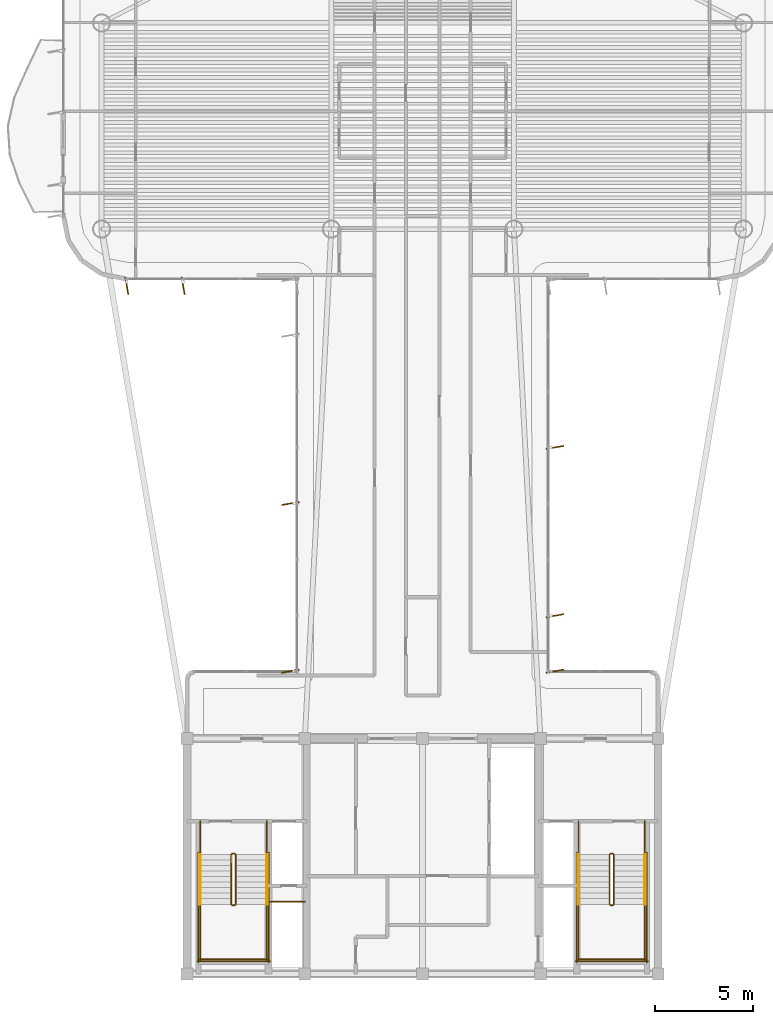
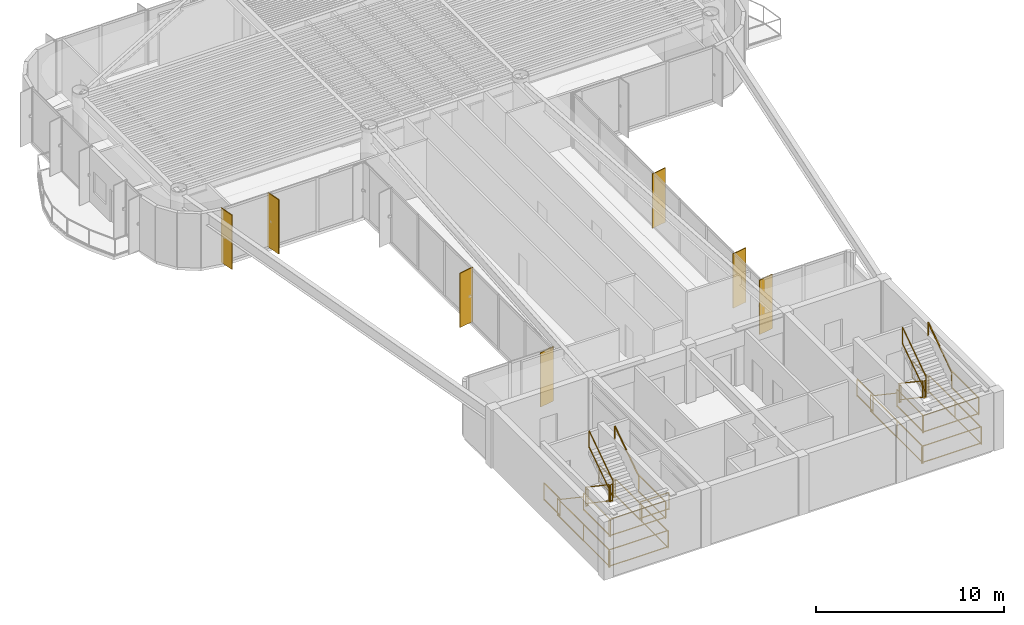
# One storey, part 15 of 16: 29 railings, 7 shading devices.
"""IFC4 building model written with IfcOpenShell, lengths in metres."""

from ifc_helpers import new_model, si_unit, direction, frame, origin, origin_2d, place, context, subcontext, project, spatial, rectangle, extrude, source, transform, mapped, material, layer, layer_set, material_profile, profile_set, type_object, element, save


model = new_model("IFC4")

# Units and contexts
model_context = context("Model", 3, precision=1e-05, world=origin(), true_north=direction((0.0, 1.0)))
body_context = subcontext(model_context, "Body", "Model", "MODEL_VIEW")
ifc_project = project(units=[si_unit("LENGTHUNIT", "METRE"), si_unit("AREAUNIT", "SQUARE_METRE"), si_unit("VOLUMEUNIT", "CUBIC_METRE"), si_unit("PLANEANGLEUNIT", "RADIAN"), si_unit("MASSUNIT", "GRAM", prefix="KILO")], contexts=[model_context])

# Site, building, storey
site_placement = place(None, origin())
site = spatial("IfcSite", under=ifc_project, at=site_placement, CompositionType="ELEMENT")
building_placement = place(site_placement, origin())
building = spatial("IfcBuilding", under=site, at=building_placement, Name="Brelvock Crest Care Tower", CompositionType="ELEMENT")
storey_placement = place(building_placement, frame((0.0, 0.0, 230.580078125)))
storey = spatial("IfcBuildingStorey", under=building, at=storey_placement, Name="L58", CompositionType="ELEMENT", Elevation=230.580078125)

# Railings
ifc_material_1 = material(Name="Steel Grade 350", Category="steel")
ifc_layer_1 = layer(ifc_material_1, 0.050048828125, Name="RL-STG1")
ifc_layer_set_1 = layer_set([ifc_layer_1], Name="Steel Grade 350")
railing_type_1 = type_object("IfcRailingType", Name="RL-STG1", PredefinedType="GUARDRAIL", material=ifc_layer_set_1)
railing_1_placement = place(storey_placement, frame((26.260009765625, 12.080078125, 0.18896484375)))
element("IfcRailing", 1, at=railing_1_placement, inside=storey, type_object=railing_type_1, Name="L58 ST-1 stair guard 1", PredefinedType="GUARDRAIL", context=body_context, shape_type="SweptSolid", body=[
    extrude(rectangle(XDim=0.048095703125, YDim=0.048095703125, at=origin_2d()), frame((0.0, -0.001708984375, 1.116943359375), z_axis=(0.0, -0.828861706735, 0.559453546873), x_axis=(1.0, 0.0, 0.0)), (0.0, 0.0, 1.0), 3.036376953125),
    extrude(rectangle(XDim=0.048095703125, YDim=0.048095703125, at=origin_2d()), frame((0.0, -0.001708984375, 0.05615234375), z_axis=(0.0, -0.828861706735, 0.559453546873), x_axis=(1.0, 0.0, 0.0)), (0.0, 0.0, 1.0), 3.036376953125),
    extrude(rectangle(XDim=0.0419921875, YDim=0.0419921875, at=origin_2d()), origin(), (0.0, 0.0, 1.0), 1.08984375),
    extrude(rectangle(XDim=0.0419921875, YDim=0.0419921875, at=origin_2d()), frame((0.0, -2.52001953125, 1.700927734375)), (0.0, 0.0, 1.0), 1.08984375),
])
railing_2_placement = place(storey_placement, frame((26.31005859375, 9.510009765625, 1.889892578125)))
element("IfcRailing", 2, at=railing_2_placement, inside=storey, type_object=railing_type_1, Name="L58 ST-1 stair guard 2", PredefinedType="GUARDRAIL", context=body_context, shape_type="SweptSolid", body=[
    extrude(rectangle(XDim=0.048095703125, YDim=0.048095703125, at=origin_2d()), frame((0.001953125, 0.0, 1.11572265625), z_axis=(1.0, 0.0, 0.0), x_axis=(0.0, 1.0, 0.0)), (0.0, 0.0, 1.0), 0.115966796875),
    extrude(rectangle(XDim=0.048095703125, YDim=0.048095703125, at=origin_2d()), frame((0.001953125, 0.0, 0.054931640625), z_axis=(1.0, 0.0, 0.0), x_axis=(0.0, 1.0, 0.0)), (0.0, 0.0, 1.0), 0.115966796875),
    extrude(rectangle(XDim=0.0419921875, YDim=0.0419921875, at=origin_2d()), origin(), (0.0, 0.0, 1.0), 1.08984375),
    extrude(rectangle(XDim=0.0419921875, YDim=0.0419921875, at=origin_2d()), frame((0.119873046875, 0.0, 0.0)), (0.0, 0.0, 1.0), 1.08984375),
])
for number, where, name in (
    (3, (24.679931640625, 9.56005859375, 1.889892578125), "L58 ST-1 stair guard 3"),
    (4, (28.06005859375, 9.56005859375, 1.889892578125), "L58 ST-1 stair guard 4"),
):
    element("IfcRailing", number, at=place(storey_placement, frame(where)), inside=storey, type_object=railing_type_1, Name=name, PredefinedType="GUARDRAIL", context=body_context, shape_type="SweptSolid", body=[
        extrude(rectangle(XDim=0.048095703125, YDim=0.048095703125, at=origin_2d()), frame((0.0, -0.001953125, 1.11572265625), z_axis=(0.0, -1.0, 0.0), x_axis=(1.0, 0.0, 0.0)), (0.0, 0.0, 1.0), 2.856201171875),
        extrude(rectangle(XDim=0.048095703125, YDim=0.048095703125, at=origin_2d()), frame((0.0, -0.001953125, 0.054931640625), z_axis=(0.0, -1.0, 0.0), x_axis=(1.0, 0.0, 0.0)), (0.0, 0.0, 1.0), 2.856201171875),
        extrude(rectangle(XDim=0.0419921875, YDim=0.0419921875, at=origin_2d()), origin(), (0.0, 0.0, 1.0), 1.08984375),
        extrude(rectangle(XDim=0.0419921875, YDim=0.0419921875, at=origin_2d()), frame((0.0, -2.860107421875, 0.0)), (0.0, 0.0, 1.0), 1.08984375),
    ])
railing_3_placement = place(storey_placement, frame((24.6298828125, 6.75, 1.889892578125)))
element("IfcRailing", 5, at=railing_3_placement, inside=storey, type_object=railing_type_1, Name="L58 ST-1 stair guard 5", PredefinedType="GUARDRAIL", context=body_context, shape_type="SweptSolid", body=[
    extrude(rectangle(XDim=0.048095703125, YDim=0.048095703125, at=origin_2d()), frame((0.001953125, 0.0, 1.11572265625), z_axis=(1.0, 0.0, 0.0), x_axis=(0.0, 1.0, 0.0)), (0.0, 0.0, 1.0), 3.476318359375),
    extrude(rectangle(XDim=0.048095703125, YDim=0.048095703125, at=origin_2d()), frame((0.001953125, 0.0, 0.054931640625), z_axis=(1.0, 0.0, 0.0), x_axis=(0.0, 1.0, 0.0)), (0.0, 0.0, 1.0), 3.476318359375),
    extrude(rectangle(XDim=0.0419921875, YDim=0.0419921875, at=origin_2d()), origin(), (0.0, 0.0, 1.0), 1.08984375),
    extrude(rectangle(XDim=0.0419921875, YDim=0.0419921875, at=origin_2d()), frame((3.480224609375, 0.0, 0.0)), (0.0, 0.0, 1.0), 1.08984375),
])
railing_4_placement = place(storey_placement, frame((26.47998046875, 9.56005859375, 2.078857421875)))
element("IfcRailing", 6, at=railing_4_placement, inside=storey, type_object=railing_type_1, Name="L58 ST-1 stair guard 6", PredefinedType="GUARDRAIL", context=body_context, shape_type="SweptSolid", body=[
    extrude(rectangle(XDim=0.048095703125, YDim=0.048095703125, at=origin_2d()), frame((0.0, 0.001708984375, 1.116943359375), z_axis=(0.0, 0.82882447046, 0.559508710537), x_axis=(-1.0, 0.0, 0.0)), (0.0, 0.0, 1.0), 3.036376953125),
    extrude(rectangle(XDim=0.048095703125, YDim=0.048095703125, at=origin_2d()), frame((0.0, 0.001708984375, 0.05615234375), z_axis=(0.0, 0.82882447046, 0.559508710537), x_axis=(-1.0, 0.0, 0.0)), (0.0, 0.0, 1.0), 3.036376953125),
    extrude(rectangle(XDim=0.0419921875, YDim=0.0419921875, at=origin_2d()), origin(), (0.0, 0.0, 1.0), 1.08984375),
    extrude(rectangle(XDim=0.0419921875, YDim=0.0419921875, at=origin_2d()), frame((0.0, 2.52001953125, 1.701171875)), (0.0, 0.0, 1.0), 1.08984375),
])
railing_5_placement = place(storey_placement, frame((26.31005859375, 12.1298828125, 0.0)))
element("IfcRailing", 7, at=railing_5_placement, inside=storey, type_object=railing_type_1, Name="L58 ST-1 stair guard 7", PredefinedType="GUARDRAIL", context=body_context, shape_type="SweptSolid", body=[
    extrude(rectangle(XDim=0.048095703125, YDim=0.048095703125, at=origin_2d()), frame((0.001953125, 0.0, 1.11572265625), z_axis=(1.0, 0.0, 0.0), x_axis=(0.0, 1.0, 0.0)), (0.0, 0.0, 1.0), 0.115966796875),
    extrude(rectangle(XDim=0.048095703125, YDim=0.048095703125, at=origin_2d()), frame((0.001953125, 0.0, 0.054931640625), z_axis=(1.0, 0.0, 0.0), x_axis=(0.0, 1.0, 0.0)), (0.0, 0.0, 1.0), 0.115966796875),
    extrude(rectangle(XDim=0.0419921875, YDim=0.0419921875, at=origin_2d()), origin(), (0.0, 0.0, 1.0), 1.08984375),
    extrude(rectangle(XDim=0.0419921875, YDim=0.0419921875, at=origin_2d()), frame((0.119873046875, 0.0, 0.0)), (0.0, 0.0, 1.0), 1.08984375),
])
for number, where, name in (
    (8, (24.679931640625, 13.780029296875, 0.0), "L58 ST-1 stair guard 8"),
    (9, (28.06005859375, 13.780029296875, 0.0), "L58 ST-1 stair guard 9"),
):
    element("IfcRailing", number, at=place(storey_placement, frame(where)), inside=storey, type_object=railing_type_1, Name=name, PredefinedType="GUARDRAIL", context=body_context, shape_type="SweptSolid", body=[
        extrude(rectangle(XDim=0.048095703125, YDim=0.048095703125, at=origin_2d()), frame((0.0, -0.001953125, 1.11572265625), z_axis=(0.0, -1.0, 0.0), x_axis=(1.0, 0.0, 0.0)), (0.0, 0.0, 1.0), 1.696044921875),
        extrude(rectangle(XDim=0.048095703125, YDim=0.048095703125, at=origin_2d()), frame((0.0, -0.001953125, 0.054931640625), z_axis=(0.0, -1.0, 0.0), x_axis=(1.0, 0.0, 0.0)), (0.0, 0.0, 1.0), 1.696044921875),
        extrude(rectangle(XDim=0.0419921875, YDim=0.0419921875, at=origin_2d()), origin(), (0.0, 0.0, 1.0), 1.08984375),
        extrude(rectangle(XDim=0.0419921875, YDim=0.0419921875, at=origin_2d()), frame((0.0, -1.699951171875, 0.0)), (0.0, 0.0, 1.0), 1.08984375),
    ])
for number, where, name in (
    (10, (24.580078125, 12.179931640625, 0.0), "L58 ST-1 stair guard 10"),
    (11, (28.159912109375, 12.179931640625, 0.0), "L58 ST-1 stair guard 11"),
):
    element("IfcRailing", number, at=place(storey_placement, frame(where)), inside=storey, type_object=railing_type_1, Name=name, PredefinedType="GUARDRAIL", context=body_context, shape_type="SweptSolid", body=[
        extrude(rectangle(XDim=0.048095703125, YDim=0.048095703125, at=origin_2d()), frame((0.0, -0.001953125, 1.11572265625), z_axis=(0.0, -1.0, 0.0), x_axis=(1.0, 0.0, 0.0)), (0.0, 0.0, 1.0), 5.575927734375),
        extrude(rectangle(XDim=0.048095703125, YDim=0.048095703125, at=origin_2d()), frame((0.0, -0.001953125, 0.054931640625), z_axis=(0.0, -1.0, 0.0), x_axis=(1.0, 0.0, 0.0)), (0.0, 0.0, 1.0), 5.575927734375),
        extrude(rectangle(XDim=0.0419921875, YDim=0.0419921875, at=origin_2d()), origin(), (0.0, 0.0, 1.0), 1.08984375),
        extrude(rectangle(XDim=0.0419921875, YDim=0.0419921875, at=origin_2d()), frame((0.0, -2.7900390625, 0.0)), (0.0, 0.0, 1.0), 1.08984375),
        extrude(rectangle(XDim=0.0419921875, YDim=0.0419921875, at=origin_2d()), frame((0.0, -5.579833984375, 0.0)), (0.0, 0.0, 1.0), 1.08984375),
    ])
railing_6_placement = place(storey_placement, frame((24.530029296875, 6.64990234375, 0.0)))
element("IfcRailing", 12, at=railing_6_placement, inside=storey, type_object=railing_type_1, Name="L58 ST-1 stair guard 12", PredefinedType="GUARDRAIL", context=body_context, shape_type="SweptSolid", body=[
    extrude(rectangle(XDim=0.048095703125, YDim=0.048095703125, at=origin_2d()), frame((0.001953125, 0.0, 1.11572265625), z_axis=(1.0, 0.0, 0.0), x_axis=(0.0, 1.0, 0.0)), (0.0, 0.0, 1.0), 3.676025390625),
    extrude(rectangle(XDim=0.048095703125, YDim=0.048095703125, at=origin_2d()), frame((0.001953125, 0.0, 0.054931640625), z_axis=(1.0, 0.0, 0.0), x_axis=(0.0, 1.0, 0.0)), (0.0, 0.0, 1.0), 3.676025390625),
    extrude(rectangle(XDim=0.0419921875, YDim=0.0419921875, at=origin_2d()), origin(), (0.0, 0.0, 1.0), 1.08984375),
    extrude(rectangle(XDim=0.0419921875, YDim=0.0419921875, at=origin_2d()), frame((3.679931640625, 0.0, 0.0)), (0.0, 0.0, 1.0), 1.08984375),
])
railing_7_placement = place(storey_placement, frame((45.52001953125, 12.080078125, 0.18896484375)))
element("IfcRailing", 13, at=railing_7_placement, inside=storey, type_object=railing_type_1, Name="L58 ST-2 stair guard 1", PredefinedType="GUARDRAIL", context=body_context, shape_type="SweptSolid", body=[
    extrude(rectangle(XDim=0.048095703125, YDim=0.048095703125, at=origin_2d()), frame((0.0, -0.001708984375, 1.116943359375), z_axis=(0.0, -0.828861706735, 0.559453546873), x_axis=(1.0, 0.0, 0.0)), (0.0, 0.0, 1.0), 3.036376953125),
    extrude(rectangle(XDim=0.048095703125, YDim=0.048095703125, at=origin_2d()), frame((0.0, -0.001708984375, 0.05615234375), z_axis=(0.0, -0.828861706735, 0.559453546873), x_axis=(1.0, 0.0, 0.0)), (0.0, 0.0, 1.0), 3.036376953125),
    extrude(rectangle(XDim=0.0419921875, YDim=0.0419921875, at=origin_2d()), origin(), (0.0, 0.0, 1.0), 1.08984375),
    extrude(rectangle(XDim=0.0419921875, YDim=0.0419921875, at=origin_2d()), frame((0.0, -2.52001953125, 1.700927734375)), (0.0, 0.0, 1.0), 1.08984375),
])
railing_8_placement = place(storey_placement, frame((45.570068359375, 9.510009765625, 1.889892578125)))
element("IfcRailing", 14, at=railing_8_placement, inside=storey, type_object=railing_type_1, Name="L58 ST-2 stair guard 2", PredefinedType="GUARDRAIL", context=body_context, shape_type="SweptSolid", body=[
    extrude(rectangle(XDim=0.048095703125, YDim=0.048095703125, at=origin_2d()), frame((0.001953125, 0.0, 1.11572265625), z_axis=(1.0, 0.0, 0.0), x_axis=(0.0, 1.0, 0.0)), (0.0, 0.0, 1.0), 0.115966796875),
    extrude(rectangle(XDim=0.048095703125, YDim=0.048095703125, at=origin_2d()), frame((0.001953125, 0.0, 0.054931640625), z_axis=(1.0, 0.0, 0.0), x_axis=(0.0, 1.0, 0.0)), (0.0, 0.0, 1.0), 0.115966796875),
    extrude(rectangle(XDim=0.0419921875, YDim=0.0419921875, at=origin_2d()), origin(), (0.0, 0.0, 1.0), 1.08984375),
    extrude(rectangle(XDim=0.0419921875, YDim=0.0419921875, at=origin_2d()), frame((0.119873046875, 0.0, 0.0)), (0.0, 0.0, 1.0), 1.08984375),
])
for number, where, name in (
    (15, (43.93994140625, 9.56005859375, 1.889892578125), "L58 ST-2 stair guard 3"),
    (16, (47.320068359375, 9.56005859375, 1.889892578125), "L58 ST-2 stair guard 4"),
):
    element("IfcRailing", number, at=place(storey_placement, frame(where)), inside=storey, type_object=railing_type_1, Name=name, PredefinedType="GUARDRAIL", context=body_context, shape_type="SweptSolid", body=[
        extrude(rectangle(XDim=0.048095703125, YDim=0.048095703125, at=origin_2d()), frame((0.0, -0.001953125, 1.11572265625), z_axis=(0.0, -1.0, 0.0), x_axis=(1.0, 0.0, 0.0)), (0.0, 0.0, 1.0), 2.856201171875),
        extrude(rectangle(XDim=0.048095703125, YDim=0.048095703125, at=origin_2d()), frame((0.0, -0.001953125, 0.054931640625), z_axis=(0.0, -1.0, 0.0), x_axis=(1.0, 0.0, 0.0)), (0.0, 0.0, 1.0), 2.856201171875),
        extrude(rectangle(XDim=0.0419921875, YDim=0.0419921875, at=origin_2d()), origin(), (0.0, 0.0, 1.0), 1.08984375),
        extrude(rectangle(XDim=0.0419921875, YDim=0.0419921875, at=origin_2d()), frame((0.0, -2.860107421875, 0.0)), (0.0, 0.0, 1.0), 1.08984375),
    ])
railing_9_placement = place(storey_placement, frame((43.889892578125, 6.75, 1.889892578125)))
element("IfcRailing", 17, at=railing_9_placement, inside=storey, type_object=railing_type_1, Name="L58 ST-2 stair guard 5", PredefinedType="GUARDRAIL", context=body_context, shape_type="SweptSolid", body=[
    extrude(rectangle(XDim=0.048095703125, YDim=0.048095703125, at=origin_2d()), frame((0.001953125, 0.0, 1.11572265625), z_axis=(1.0, 0.0, 0.0), x_axis=(0.0, 1.0, 0.0)), (0.0, 0.0, 1.0), 3.476318359375),
    extrude(rectangle(XDim=0.048095703125, YDim=0.048095703125, at=origin_2d()), frame((0.001953125, 0.0, 0.054931640625), z_axis=(1.0, 0.0, 0.0), x_axis=(0.0, 1.0, 0.0)), (0.0, 0.0, 1.0), 3.476318359375),
    extrude(rectangle(XDim=0.0419921875, YDim=0.0419921875, at=origin_2d()), origin(), (0.0, 0.0, 1.0), 1.08984375),
    extrude(rectangle(XDim=0.0419921875, YDim=0.0419921875, at=origin_2d()), frame((3.480224609375, 0.0, 0.0)), (0.0, 0.0, 1.0), 1.08984375),
])
railing_10_placement = place(storey_placement, frame((45.739990234375, 9.56005859375, 2.078857421875)))
element("IfcRailing", 18, at=railing_10_placement, inside=storey, type_object=railing_type_1, Name="L58 ST-2 stair guard 6", PredefinedType="GUARDRAIL", context=body_context, shape_type="SweptSolid", body=[
    extrude(rectangle(XDim=0.048095703125, YDim=0.048095703125, at=origin_2d()), frame((0.0, 0.001708984375, 1.116943359375), z_axis=(0.0, 0.82882447046, 0.559508710537), x_axis=(-1.0, 0.0, 0.0)), (0.0, 0.0, 1.0), 3.036376953125),
    extrude(rectangle(XDim=0.048095703125, YDim=0.048095703125, at=origin_2d()), frame((0.0, 0.001708984375, 0.05615234375), z_axis=(0.0, 0.82882447046, 0.559508710537), x_axis=(-1.0, 0.0, 0.0)), (0.0, 0.0, 1.0), 3.036376953125),
    extrude(rectangle(XDim=0.0419921875, YDim=0.0419921875, at=origin_2d()), origin(), (0.0, 0.0, 1.0), 1.08984375),
    extrude(rectangle(XDim=0.0419921875, YDim=0.0419921875, at=origin_2d()), frame((0.0, 2.52001953125, 1.701171875)), (0.0, 0.0, 1.0), 1.08984375),
])
railing_11_placement = place(storey_placement, frame((45.570068359375, 12.1298828125, 0.0)))
element("IfcRailing", 19, at=railing_11_placement, inside=storey, type_object=railing_type_1, Name="L58 ST-2 stair guard 7", PredefinedType="GUARDRAIL", context=body_context, shape_type="SweptSolid", body=[
    extrude(rectangle(XDim=0.048095703125, YDim=0.048095703125, at=origin_2d()), frame((0.001953125, 0.0, 1.11572265625), z_axis=(1.0, 0.0, 0.0), x_axis=(0.0, 1.0, 0.0)), (0.0, 0.0, 1.0), 0.115966796875),
    extrude(rectangle(XDim=0.048095703125, YDim=0.048095703125, at=origin_2d()), frame((0.001953125, 0.0, 0.054931640625), z_axis=(1.0, 0.0, 0.0), x_axis=(0.0, 1.0, 0.0)), (0.0, 0.0, 1.0), 0.115966796875),
    extrude(rectangle(XDim=0.0419921875, YDim=0.0419921875, at=origin_2d()), origin(), (0.0, 0.0, 1.0), 1.08984375),
    extrude(rectangle(XDim=0.0419921875, YDim=0.0419921875, at=origin_2d()), frame((0.119873046875, 0.0, 0.0)), (0.0, 0.0, 1.0), 1.08984375),
])
for number, where, name in (
    (20, (43.93994140625, 13.780029296875, 0.0), "L58 ST-2 stair guard 8"),
    (21, (47.320068359375, 13.780029296875, 0.0), "L58 ST-2 stair guard 9"),
):
    element("IfcRailing", number, at=place(storey_placement, frame(where)), inside=storey, type_object=railing_type_1, Name=name, PredefinedType="GUARDRAIL", context=body_context, shape_type="SweptSolid", body=[
        extrude(rectangle(XDim=0.048095703125, YDim=0.048095703125, at=origin_2d()), frame((0.0, -0.001953125, 1.11572265625), z_axis=(0.0, -1.0, 0.0), x_axis=(1.0, 0.0, 0.0)), (0.0, 0.0, 1.0), 1.696044921875),
        extrude(rectangle(XDim=0.048095703125, YDim=0.048095703125, at=origin_2d()), frame((0.0, -0.001953125, 0.054931640625), z_axis=(0.0, -1.0, 0.0), x_axis=(1.0, 0.0, 0.0)), (0.0, 0.0, 1.0), 1.696044921875),
        extrude(rectangle(XDim=0.0419921875, YDim=0.0419921875, at=origin_2d()), origin(), (0.0, 0.0, 1.0), 1.08984375),
        extrude(rectangle(XDim=0.0419921875, YDim=0.0419921875, at=origin_2d()), frame((0.0, -1.699951171875, 0.0)), (0.0, 0.0, 1.0), 1.08984375),
    ])
for number, where, name in (
    (22, (43.840087890625, 12.179931640625, 0.0), "L58 ST-2 stair guard 10"),
    (23, (47.419921875, 12.179931640625, 0.0), "L58 ST-2 stair guard 11"),
):
    element("IfcRailing", number, at=place(storey_placement, frame(where)), inside=storey, type_object=railing_type_1, Name=name, PredefinedType="GUARDRAIL", context=body_context, shape_type="SweptSolid", body=[
        extrude(rectangle(XDim=0.048095703125, YDim=0.048095703125, at=origin_2d()), frame((0.0, -0.001953125, 1.11572265625), z_axis=(0.0, -1.0, 0.0), x_axis=(1.0, 0.0, 0.0)), (0.0, 0.0, 1.0), 5.575927734375),
        extrude(rectangle(XDim=0.048095703125, YDim=0.048095703125, at=origin_2d()), frame((0.0, -0.001953125, 0.054931640625), z_axis=(0.0, -1.0, 0.0), x_axis=(1.0, 0.0, 0.0)), (0.0, 0.0, 1.0), 5.575927734375),
        extrude(rectangle(XDim=0.0419921875, YDim=0.0419921875, at=origin_2d()), origin(), (0.0, 0.0, 1.0), 1.08984375),
        extrude(rectangle(XDim=0.0419921875, YDim=0.0419921875, at=origin_2d()), frame((0.0, -2.7900390625, 0.0)), (0.0, 0.0, 1.0), 1.08984375),
        extrude(rectangle(XDim=0.0419921875, YDim=0.0419921875, at=origin_2d()), frame((0.0, -5.579833984375, 0.0)), (0.0, 0.0, 1.0), 1.08984375),
    ])
railing_12_placement = place(storey_placement, frame((43.7900390625, 6.64990234375, 0.0)))
element("IfcRailing", 24, at=railing_12_placement, inside=storey, type_object=railing_type_1, Name="L58 ST-2 stair guard 12", PredefinedType="GUARDRAIL", context=body_context, shape_type="SweptSolid", body=[
    extrude(rectangle(XDim=0.048095703125, YDim=0.048095703125, at=origin_2d()), frame((0.001953125, 0.0, 1.11572265625), z_axis=(1.0, 0.0, 0.0), x_axis=(0.0, 1.0, 0.0)), (0.0, 0.0, 1.0), 3.676025390625),
    extrude(rectangle(XDim=0.048095703125, YDim=0.048095703125, at=origin_2d()), frame((0.001953125, 0.0, 0.054931640625), z_axis=(1.0, 0.0, 0.0), x_axis=(0.0, 1.0, 0.0)), (0.0, 0.0, 1.0), 3.676025390625),
    extrude(rectangle(XDim=0.0419921875, YDim=0.0419921875, at=origin_2d()), origin(), (0.0, 0.0, 1.0), 1.08984375),
    extrude(rectangle(XDim=0.0419921875, YDim=0.0419921875, at=origin_2d()), frame((3.679931640625, 0.0, 0.0)), (0.0, 0.0, 1.0), 1.08984375),
])
railing_13_placement = place(storey_placement, frame((28.219970703125, 9.679931640625, 0.0)))
element("IfcRailing", 25, at=railing_13_placement, inside=storey, type_object=railing_type_1, Name="L58 Fire Riser Threshold Guard", PredefinedType="GUARDRAIL", context=body_context, shape_type="SweptSolid", body=[
    extrude(rectangle(XDim=0.048095703125, YDim=0.048095703125, at=origin_2d()), frame((0.001953125, 0.0, 1.11572265625), z_axis=(1.0, 0.0, 0.0), x_axis=(0.0, 1.0, 0.0)), (0.0, 0.0, 1.0), 1.776123046875),
    extrude(rectangle(XDim=0.048095703125, YDim=0.048095703125, at=origin_2d()), frame((0.001953125, 0.0, 0.054931640625), z_axis=(1.0, 0.0, 0.0), x_axis=(0.0, 1.0, 0.0)), (0.0, 0.0, 1.0), 1.776123046875),
    extrude(rectangle(XDim=0.0419921875, YDim=0.0419921875, at=origin_2d()), origin(), (0.0, 0.0, 1.0), 1.08984375),
    extrude(rectangle(XDim=0.0419921875, YDim=0.0419921875, at=origin_2d()), frame((1.780029296875, 0.0, 0.0)), (0.0, 0.0, 1.0), 1.08984375),
])
ifc_layer_2 = layer(ifc_material_1, 0.048095703125, Name="RL-STH1")
ifc_layer_set_2 = layer_set([ifc_layer_2], Name="Steel Grade 350")
railing_type_2 = type_object("IfcRailingType", Name="RL-STH1", PredefinedType="HANDRAIL", material=ifc_layer_set_2)
railing_14_placement = place(storey_placement, frame((24.679931640625, 12.080078125, 0.18896484375)))
element("IfcRailing", 26, at=railing_14_placement, inside=storey, type_object=railing_type_2, Name="L58 ST-1 stair handrail 1", PredefinedType="HANDRAIL", context=body_context, shape_type="SweptSolid", body=[
    extrude(rectangle(XDim=0.048095703125, YDim=0.048095703125, at=origin_2d()), frame((0.0, -0.001708984375, 0.876953125), z_axis=(0.0, -0.828861706735, 0.559453546873), x_axis=(1.0, 0.0, 0.0)), (0.0, 0.0, 1.0), 3.036376953125),
    extrude(rectangle(XDim=0.0419921875, YDim=0.0419921875, at=origin_2d()), origin(), (0.0, 0.0, 1.0), 0.849853515625),
    extrude(rectangle(XDim=0.0419921875, YDim=0.0419921875, at=origin_2d()), frame((0.0, -2.52001953125, 1.700927734375)), (0.0, 0.0, 1.0), 0.849853515625),
])
railing_15_placement = place(storey_placement, frame((28.06005859375, 9.56005859375, 2.078857421875)))
element("IfcRailing", 27, at=railing_15_placement, inside=storey, type_object=railing_type_2, Name="L58 ST-1 stair handrail 2", PredefinedType="HANDRAIL", context=body_context, shape_type="SweptSolid", body=[
    extrude(rectangle(XDim=0.048095703125, YDim=0.048095703125, at=origin_2d()), frame((0.0, 0.001708984375, 0.876953125), z_axis=(0.0, 0.82882447046, 0.559508710537), x_axis=(-1.0, 0.0, 0.0)), (0.0, 0.0, 1.0), 3.036376953125),
    extrude(rectangle(XDim=0.0419921875, YDim=0.0419921875, at=origin_2d()), origin(), (0.0, 0.0, 1.0), 0.849853515625),
    extrude(rectangle(XDim=0.0419921875, YDim=0.0419921875, at=origin_2d()), frame((0.0, 2.52001953125, 1.701171875)), (0.0, 0.0, 1.0), 0.849853515625),
])
railing_16_placement = place(storey_placement, frame((43.93994140625, 12.080078125, 0.18896484375)))
element("IfcRailing", 28, at=railing_16_placement, inside=storey, type_object=railing_type_2, Name="L58 ST-2 stair handrail 1", PredefinedType="HANDRAIL", context=body_context, shape_type="SweptSolid", body=[
    extrude(rectangle(XDim=0.048095703125, YDim=0.048095703125, at=origin_2d()), frame((0.0, -0.001708984375, 0.876953125), z_axis=(0.0, -0.828861706735, 0.559453546873), x_axis=(1.0, 0.0, 0.0)), (0.0, 0.0, 1.0), 3.036376953125),
    extrude(rectangle(XDim=0.0419921875, YDim=0.0419921875, at=origin_2d()), origin(), (0.0, 0.0, 1.0), 0.849853515625),
    extrude(rectangle(XDim=0.0419921875, YDim=0.0419921875, at=origin_2d()), frame((0.0, -2.52001953125, 1.700927734375)), (0.0, 0.0, 1.0), 0.849853515625),
])
railing_17_placement = place(storey_placement, frame((47.320068359375, 9.56005859375, 2.078857421875)))
element("IfcRailing", 29, at=railing_17_placement, inside=storey, type_object=railing_type_2, Name="L58 ST-2 stair handrail 2", PredefinedType="HANDRAIL", context=body_context, shape_type="SweptSolid", body=[
    extrude(rectangle(XDim=0.048095703125, YDim=0.048095703125, at=origin_2d()), frame((0.0, 0.001708984375, 0.876953125), z_axis=(0.0, 0.82882447046, 0.559508710537), x_axis=(-1.0, 0.0, 0.0)), (0.0, 0.0, 1.0), 3.036376953125),
    extrude(rectangle(XDim=0.0419921875, YDim=0.0419921875, at=origin_2d()), origin(), (0.0, 0.0, 1.0), 0.849853515625),
    extrude(rectangle(XDim=0.0419921875, YDim=0.0419921875, at=origin_2d()), frame((0.0, 2.52001953125, 1.701171875)), (0.0, 0.0, 1.0), 0.849853515625),
])

# Shading devices
ifc_material_2 = material(Name="Aluminium 6063-T6", Category="aluminium")
ifc_material_profile = material_profile(ifc_material_2, rectangle(XDim=0.054931640625, YDim=0.89990234375, at=origin_2d()), Name="FIN55x900")
ifc_profile_set = profile_set([ifc_material_profile], Name="Aluminium 6063-T6")
shading_device_type = type_object("IfcShadingDeviceType", Name="SHD-FIN1", PredefinedType="USERDEFINED", material=ifc_profile_set)
shared_shape = source(origin(), body_context, "Body", "SweptSolid", [
    extrude(rectangle(XDim=0.054931640625, YDim=0.89990234375, at=origin_2d()), origin(), (0.0, 0.0, 1.0), 3.530029296875),
])
for number, where, z_axis, x_axis, name in (
    (30, (29.260009765625, 21.429931640625, 0.0), (0.0, 0.0, 1.0), (-0.173648177667, 0.984807753012, 0.0), "L58 Vertical Sunshade Fin E11-01"),
    (31, (29.260009765625, 29.971435546875, 0.0), (0.0, 0.0, 1.0), (-0.173648177667, 0.984807753012, 0.0), "L58 Vertical Sunshade Fin E11-04"),
    (32, (23.800048828125, 41.06005859375, 0.0), (0.0, 0.0, 1.0), (-0.984807753012, -0.173648177667, 0.0), "L58 Vertical Sunshade Fin E12-03"),
    (33, (20.929931640625, 41.06005859375, 0.0), (0.0, 0.0, 1.0), (-0.984807753012, -0.173648177667, 0.0), "L58 Vertical Sunshade Fin E12-04"),
    (34, (42.739990234375, 32.82861328125, 0.0), (0.0, 0.0, 1.0), (0.173648177667, -0.984807753012, 0.0), "L58 Vertical Sunshade Fin E45-04"),
    (35, (42.739990234375, 24.257080078125, 0.0), (0.0, 0.0, 1.0), (0.173648177667, -0.984807753012, 0.0), "L58 Vertical Sunshade Fin E45-07"),
    (36, (42.739990234375, 21.429931640625, 0.0), (0.0, 0.0, 1.0), (0.173648177667, -0.984807753012, 0.0), "L58 Vertical Sunshade Fin E45-08"),
):
    element("IfcShadingDevice", number, at=place(storey_placement, frame(where, z_axis=z_axis, x_axis=x_axis)), inside=storey, type_object=shading_device_type, Name=name, ObjectType="FIN", PredefinedType="USERDEFINED", context=body_context, shape_type="MappedRepresentation", body=[
        mapped(shared_shape, transform((0.0, 0.0, 0.0), x_axis=(1.0, 0.0, 0.0), y_axis=(0.0, 1.0, 0.0), z_axis=(0.0, 0.0, 1.0), scale=1.0)),
    ])

save(model, "model.ifc")
